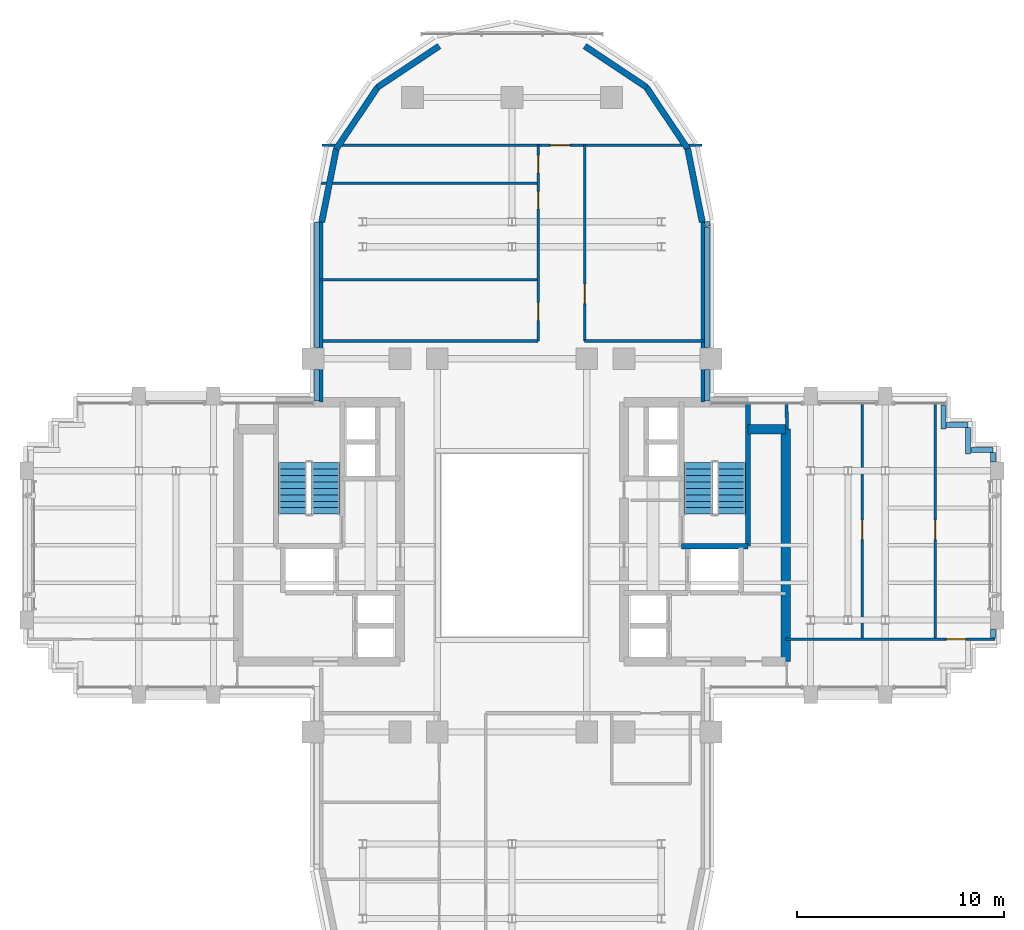
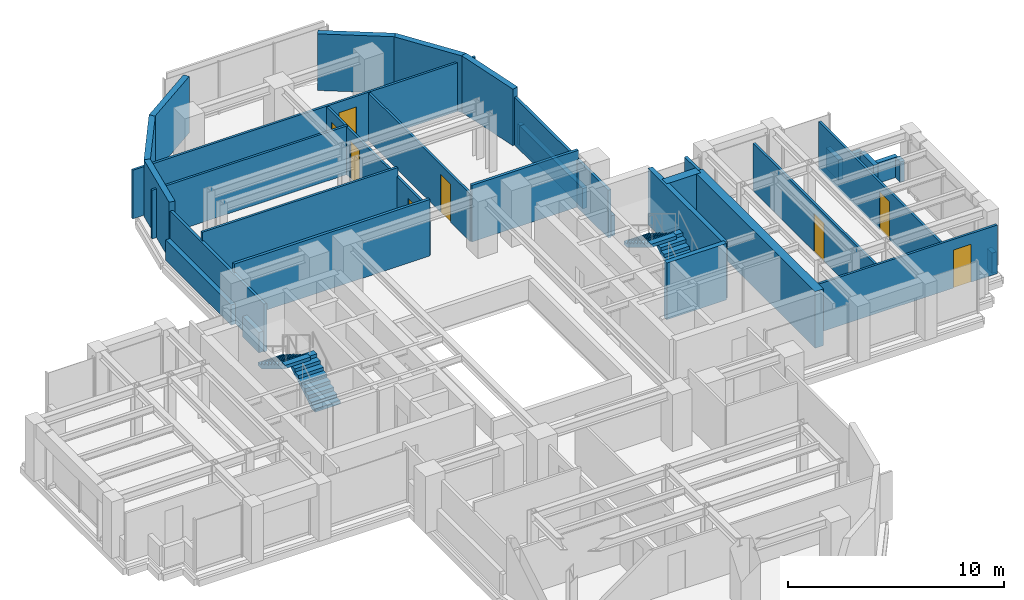
# One storey, part 10 of 14: 34 walls, 8 doors, 4 stair flights, 8 openings, 2 elements without a shape of their own.
"""IFC4 building model written with IfcOpenShell, lengths in metres."""

from ifc_helpers import new_model, si_unit, direction, frame, frame_2d, origin, place, context, subcontext, project, spatial, polyline, rectangle, outline, extrude, source, transform, mapped, material, layer, layer_set, type_object, element, fill, aggregate, save


model = new_model("IFC4")

# Units and contexts
model_context = context("Model", 3, precision=1e-05, world=origin(), true_north=direction((0.0, 1.0)))
body_context = subcontext(model_context, "Body", "Model", "MODEL_VIEW")
ifc_project = project(units=[si_unit("LENGTHUNIT", "METRE"), si_unit("AREAUNIT", "SQUARE_METRE"), si_unit("VOLUMEUNIT", "CUBIC_METRE"), si_unit("PLANEANGLEUNIT", "RADIAN"), si_unit("MASSUNIT", "GRAM", prefix="KILO")], contexts=[model_context])

# Site, building, storey
site_placement = place(None, origin())
site = spatial("IfcSite", under=ifc_project, at=site_placement, CompositionType="ELEMENT")
building_placement = place(site_placement, origin())
building = spatial("IfcBuilding", under=site, at=building_placement, Name="Keilestroom Media Tower", CompositionType="ELEMENT")
storey_placement = place(building_placement, frame((0.0, 0.0, 134.60009765625)))
storey = spatial("IfcBuildingStorey", under=building, at=storey_placement, Name="L36", CompositionType="ELEMENT", Elevation=134.60009765625)

# Walls
ifc_material_1 = material(Name="Precast concrete C40/50", Category="concrete")
ifc_layer_1 = layer(ifc_material_1, 0.300048828125)
ifc_layer_set_1 = layer_set([ifc_layer_1], Name="Precast concrete C40/50")
wall_type_1 = type_object("IfcWallType", Name="Exterior-Masonry-Spandrel-Wall-300", PredefinedType="SOLIDWALL", material=ifc_layer_set_1)
for number, where, z_axis, x_axis, name in (
    (1, (9.1748046875, 15.585205078125, 0.0), (0.0, 0.0, 1.0), (-0.195114232679, 0.980780523974, 0.0), "L36 Lobe Facet Precast Frame Wall 01"),
    (2, (8.48193359375, 19.097412109375, 0.0), (0.0, 0.0, 1.0), (-0.555574187116, 0.831466970246, 0.0), "L36 Lobe Facet Precast Frame Wall 02"),
):
    element("IfcWall", number, at=place(storey_placement, frame(where, z_axis=z_axis, x_axis=x_axis)), inside=storey, type_object=wall_type_1, Name=name, PredefinedType="SOLIDWALL", context=body_context, shape_type="SweptSolid", body=[
        extrude(rectangle(XDim=3.608642578125, YDim=0.300048828125, at=frame_2d((1.80419921875, 0.0))), origin(), (0.0, 0.0, 1.0), 3.199951171875),
    ])
for number, where, z_axis, x_axis, name in (
    (3, (6.497802734375, 22.0771484375, 0.0), (0.0, 0.0, 1.0), (-0.8314749531, 0.555562239868, 0.0), "L36 Lobe Facet Precast Frame Wall 03"),
    (4, (-3.510009765625, 24.073486328125, 0.0), (0.0, 0.0, 1.0), (-0.8314749531, -0.555562239868, 0.0), "L36 Lobe Facet Precast Frame Wall 04"),
):
    element("IfcWall", number, at=place(storey_placement, frame(where, z_axis=z_axis, x_axis=x_axis)), inside=storey, type_object=wall_type_1, Name=name, PredefinedType="SOLIDWALL", context=body_context, shape_type="SweptSolid", body=[
        extrude(rectangle(XDim=3.59326171875, YDim=0.300048828125, at=frame_2d((1.796630859375, 0.0))), origin(), (0.0, 0.0, 1.0), 3.199951171875),
    ])
for number, where, z_axis, x_axis, name in (
    (5, (-6.47705078125, 22.097900390625, 0.0), (0.0, 0.0, 1.0), (-0.555574187116, -0.831466970246, 0.0), "L36 Lobe Facet Precast Frame Wall 05"),
    (6, (-8.470703125, 19.12451171875, 0.0), (0.0, 0.0, 1.0), (-0.195114232679, -0.980780523974, 0.0), "L36 Lobe Facet Precast Frame Wall 06"),
):
    element("IfcWall", number, at=place(storey_placement, frame(where, z_axis=z_axis, x_axis=x_axis)), inside=storey, type_object=wall_type_1, Name=name, PredefinedType="SOLIDWALL", context=body_context, shape_type="SweptSolid", body=[
        extrude(rectangle(XDim=3.608642578125, YDim=0.300048828125, at=frame_2d((1.80419921875, 0.0))), origin(), (0.0, 0.0, 1.0), 3.199951171875),
    ])

# Wall, openings, doors
ifc_material_2 = material(Name="Gypsum Plasterboard & Steel Stud", Category="steel")
ifc_layer_2 = layer(ifc_material_2, 0.1201171875)
ifc_layer_set_2 = layer_set([ifc_layer_2], Name="Gypsum Plasterboard & Steel Stud")
wall_type_2 = type_object("IfcWallType", Name="Interior-Partition-Wall-120", PredefinedType="PARTITIONING", material=ifc_layer_set_2)
wall_1_placement = place(storey_placement, frame((1.260009765625, 9.85009765625, 0.0), z_axis=(0.0, 0.0, 1.0), x_axis=(0.0, 1.0, 0.0)))
wall_1 = element("IfcWall", 7, at=wall_1_placement, inside=storey, type_object=wall_type_2, Name="L36 Interior Wall WP-L36-NL-SPW", PredefinedType="PARTITIONING", context=body_context, shape_type="SweptSolid", body=[
    extrude(rectangle(XDim=9.449951171875, YDim=0.1201171875, at=frame_2d((4.72509765625, 0.0))), origin(), (0.0, 0.0, 1.0), 2.699951171875),
])
opening_1_placement = place(wall_1_placement, frame((1.0, 0.0, 0.0)))
opening_1 = element("IfcOpeningElement", 8, at=opening_1_placement, cuts=wall_1, Name="Opening DI-05", PredefinedType="OPENING", context=body_context, shape_type="SweptSolid", body=[
    extrude(rectangle(XDim=0.85009765625, YDim=2.10009765625, at=frame_2d((0.425048828125, 1.050048828125))), frame((0.0, 0.070068359375, 0.0), z_axis=(0.0, -1.0, 0.0), x_axis=(1.0, 0.0, 0.0)), (0.0, 0.0, 1.0), 0.14013671875),
])
opening_2_placement = place(wall_1_placement, frame((6.3701171875, 0.0, 0.0)))
opening_2 = element("IfcOpeningElement", 9, at=opening_2_placement, cuts=wall_1, Name="Opening DI-05", PredefinedType="OPENING", context=body_context, shape_type="SweptSolid", body=[
    extrude(rectangle(XDim=0.85009765625, YDim=2.10009765625, at=frame_2d((0.425048828125, 1.050048828125))), frame((0.0, 0.070068359375, 0.0), z_axis=(0.0, -1.0, 0.0), x_axis=(1.0, 0.0, 0.0)), (0.0, 0.0, 1.0), 0.14013671875),
])
opening_3_placement = place(wall_1_placement, frame((8.10009765625, 0.0, 0.0)))
opening_3 = element("IfcOpeningElement", 10, at=opening_3_placement, cuts=wall_1, Name="Opening DI-05", PredefinedType="OPENING", context=body_context, shape_type="SweptSolid", body=[
    extrude(rectangle(XDim=0.85009765625, YDim=2.10009765625, at=frame_2d((0.425048828125, 1.050048828125))), frame((0.0, 0.070068359375, 0.0), z_axis=(0.0, -1.0, 0.0), x_axis=(1.0, 0.0, 0.0)), (0.0, 0.0, 1.0), 0.14013671875),
])
ifc_material_3 = material(Name="Moisture-Resistant Oak Leaf", Category="wood")
door_type_1 = type_object("IfcDoorType", Name="Interior-En-Suite-And-Cupboard-Door-DI-05", OperationType="NOTDEFINED", PredefinedType="DOOR", material=ifc_material_3)
shared_shape_1 = source(origin(), body_context, "Body", "SweptSolid", [
    extrude(rectangle(XDim=0.85009765625, YDim=2.10009765625, at=frame_2d((0.425048828125, 1.050048828125))), frame((0.0, 0.02490234375, 0.0), z_axis=(0.0, -1.0, 0.0), x_axis=(1.0, 0.0, 0.0)), (0.0, 0.0, 1.0), 0.050048828125),
])
door_1_placement = place(opening_1_placement, origin())
door_1 = element("IfcDoor", 11, at=door_1_placement, inside=storey, type_object=door_type_1, Name="L36 Interior Door DI-L36-DNL-W1", OperationType="SINGLE_SWING_LEFT", OverallHeight=2.10009765625, OverallWidth=0.85009765625, PredefinedType="DOOR", context=body_context, shape_type="MappedRepresentation", body=[
    mapped(shared_shape_1, transform((0.0, 0.0, 0.0), x_axis=(1.0, 0.0, 0.0), y_axis=(0.0, 1.0, 0.0), z_axis=(0.0, 0.0, 1.0), scale=1.0)),
])
fill(opening_1, door_1)
door_2_placement = place(opening_2_placement, origin())
door_2 = element("IfcDoor", 12, at=door_2_placement, inside=storey, type_object=door_type_1, Name="L36 Interior Door DI-L36-DNL-W2", OperationType="SINGLE_SWING_RIGHT", OverallHeight=2.10009765625, OverallWidth=0.85009765625, PredefinedType="DOOR", context=body_context, shape_type="MappedRepresentation", body=[
    mapped(shared_shape_1, transform((0.0, 0.0, 0.0), x_axis=(1.0, 0.0, 0.0), y_axis=(0.0, 1.0, 0.0), z_axis=(0.0, 0.0, 1.0), scale=1.0)),
])
fill(opening_2, door_2)
door_3_placement = place(opening_3_placement, origin())
door_3 = element("IfcDoor", 13, at=door_3_placement, inside=storey, type_object=door_type_1, Name="L36 Interior Door DI-L36-DNL-W3", OperationType="SINGLE_SWING_LEFT", OverallHeight=2.10009765625, OverallWidth=0.85009765625, PredefinedType="DOOR", context=body_context, shape_type="MappedRepresentation", body=[
    mapped(shared_shape_1, transform((0.0, 0.0, 0.0), x_axis=(1.0, 0.0, 0.0), y_axis=(0.0, 1.0, 0.0), z_axis=(0.0, 0.0, 1.0), scale=1.0)),
])
fill(opening_3, door_3)

# Wall, opening, door
wall_2_placement = place(storey_placement, frame((3.5, 9.85009765625, 0.0), z_axis=(0.0, 0.0, 1.0), x_axis=(0.0, 1.0, 0.0)))
wall_2 = element("IfcWall", 14, at=wall_2_placement, inside=storey, type_object=wall_type_2, Name="L36 Interior Wall WP-L36-NL-SPE", PredefinedType="PARTITIONING", context=body_context, shape_type="SweptSolid", body=[
    extrude(rectangle(XDim=9.449951171875, YDim=0.1201171875, at=frame_2d((4.72509765625, 0.0))), origin(), (0.0, 0.0, 1.0), 2.699951171875),
])
opening_4_placement = place(wall_2_placement, frame((1.800048828125, 0.0, 0.0)))
opening_4 = element("IfcOpeningElement", 15, at=opening_4_placement, cuts=wall_2, Name="Opening DI-03", PredefinedType="OPENING", context=body_context, shape_type="SweptSolid", body=[
    extrude(rectangle(XDim=0.949951171875, YDim=2.14990234375, at=frame_2d((0.47509765625, 1.074951171875))), frame((0.0, 0.070068359375, 0.0), z_axis=(0.0, -1.0, 0.0), x_axis=(1.0, 0.0, 0.0)), (0.0, 0.0, 1.0), 0.14013671875),
])
ifc_material_4 = material(Name="Lacquered European Oak Leaf", Category="wood")
door_type_2 = type_object("IfcDoorType", Name="Interior-Room-And-Suite-Door-DI-03", OperationType="NOTDEFINED", PredefinedType="DOOR", material=ifc_material_4)
shared_shape_2 = source(origin(), body_context, "Body", "SweptSolid", [
    extrude(rectangle(XDim=0.949951171875, YDim=2.14990234375, at=frame_2d((0.47509765625, 1.074951171875))), frame((0.0, 0.02490234375, 0.0), z_axis=(0.0, -1.0, 0.0), x_axis=(1.0, 0.0, 0.0)), (0.0, 0.0, 1.0), 0.050048828125),
])
door_4_placement = place(opening_4_placement, origin())
door_4 = element("IfcDoor", 16, at=door_4_placement, inside=storey, type_object=door_type_2, Name="L36 Interior Door DI-L36-DNL-E1", OperationType="SINGLE_SWING_RIGHT", OverallHeight=2.14990234375, OverallWidth=0.949951171875, PredefinedType="DOOR", context=body_context, shape_type="MappedRepresentation", body=[
    mapped(shared_shape_2, transform((0.0, 0.0, 0.0), x_axis=(1.0, 0.0, 0.0), y_axis=(0.0, 1.0, 0.0), z_axis=(0.0, 0.0, 1.0), scale=1.0)),
])
fill(opening_4, door_4)

wall_3_placement = place(storey_placement, frame((-9.159912109375, 19.300048828125, 0.0), z_axis=(0.0, 0.0, 1.0), x_axis=(1.0, 0.0, 0.0)))
wall_3 = element("IfcWall", 17, at=wall_3_placement, inside=storey, type_object=wall_type_2, Name="L36 Interior Wall WP-L36-NL-NTIPW", PredefinedType="PARTITIONING", context=body_context, shape_type="SweptSolid", body=[
    extrude(rectangle(XDim=18.31982421875, YDim=0.1201171875, at=frame_2d((9.159912109375, 0.0))), origin(), (0.0, 0.0, 1.0), 2.75),
])
opening_5_placement = place(wall_3_placement, frame((11.010009765625, 0.0, 0.0)))
opening_5 = element("IfcOpeningElement", 18, at=opening_5_placement, cuts=wall_3, Name="Opening DI-03", PredefinedType="OPENING", context=body_context, shape_type="SweptSolid", body=[
    extrude(rectangle(XDim=0.949951171875, YDim=2.14990234375, at=frame_2d((0.47509765625, 1.074951171875))), frame((0.0, 0.070068359375, 0.0), z_axis=(0.0, -1.0, 0.0), x_axis=(1.0, 0.0, 0.0)), (0.0, 0.0, 1.0), 0.14013671875),
])
door_5_placement = place(opening_5_placement, origin())
door_5 = element("IfcDoor", 19, at=door_5_placement, inside=storey, type_object=door_type_2, Name="L36 Interior Door DI-L36-DNL-TIP", OperationType="SINGLE_SWING_RIGHT", OverallHeight=2.14990234375, OverallWidth=0.949951171875, PredefinedType="DOOR", context=body_context, shape_type="MappedRepresentation", body=[
    mapped(shared_shape_2, transform((0.0, 0.0, 0.0), x_axis=(1.0, 0.0, 0.0), y_axis=(0.0, 1.0, 0.0), z_axis=(0.0, 0.0, 1.0), scale=1.0)),
])
fill(opening_5, door_5)

# Walls
wall_4_placement = place(storey_placement, frame((-9.199951171875, 12.800048828125, 0.0), z_axis=(0.0, 0.0, 1.0), x_axis=(1.0, 0.0, 0.0)))
element("IfcWall", 20, at=wall_4_placement, inside=storey, type_object=wall_type_2, Name="L36 Interior Wall WP-L36-NL-HW1", PredefinedType="PARTITIONING", context=body_context, shape_type="SweptSolid", body=[
    extrude(rectangle(XDim=10.4599609375, YDim=0.1201171875, at=frame_2d((5.22998046875, 0.0))), origin(), (0.0, 0.0, 1.0), 3.199951171875),
])
wall_5_placement = place(storey_placement, frame((-9.199951171875, 17.449951171875, 0.0), z_axis=(0.0, 0.0, 1.0), x_axis=(1.0, 0.0, 0.0)))
element("IfcWall", 21, at=wall_5_placement, inside=storey, type_object=wall_type_2, Name="L36 Interior Wall WP-L36-NL-HW2", PredefinedType="PARTITIONING", context=body_context, shape_type="SweptSolid", body=[
    extrude(rectangle(XDim=10.4599609375, YDim=0.1201171875, at=frame_2d((5.22998046875, 0.0))), origin(), (0.0, 0.0, 1.0), 2.75),
])

# Wall, opening, door
wall_6_placement = place(storey_placement, frame((13.199951171875, -4.530029296875, 0.0), z_axis=(0.0, 0.0, 1.0), x_axis=(1.0, 0.0, 0.0)))
wall_6 = element("IfcWall", 22, at=wall_6_placement, inside=storey, type_object=wall_type_2, Name="L36 Interior Wall WP-L36-EA-CN", PredefinedType="PARTITIONING", context=body_context, shape_type="SweptSolid", body=[
    extrude(rectangle(XDim=10.10009765625, YDim=0.1201171875, at=frame_2d((5.050048828125, 0.0))), origin(), (0.0, 0.0, 1.0), 2.75),
])
opening_6_placement = place(wall_6_placement, frame((7.75, 0.0, 0.0)))
opening_6 = element("IfcOpeningElement", 23, at=opening_6_placement, cuts=wall_6, Name="Opening DI-03", PredefinedType="OPENING", context=body_context, shape_type="SweptSolid", body=[
    extrude(rectangle(XDim=0.949951171875, YDim=2.14990234375, at=frame_2d((0.47509765625, 1.074951171875))), frame((0.0, 0.070068359375, 0.0), z_axis=(0.0, -1.0, 0.0), x_axis=(1.0, 0.0, 0.0)), (0.0, 0.0, 1.0), 0.14013671875),
])
door_6_placement = place(opening_6_placement, origin())
door_6 = element("IfcDoor", 24, at=door_6_placement, inside=storey, type_object=door_type_2, Name="L36 Interior Door DI-L36-DEA-RN3", OperationType="SINGLE_SWING_RIGHT", OverallHeight=2.14990234375, OverallWidth=0.949951171875, PredefinedType="DOOR", context=body_context, shape_type="MappedRepresentation", body=[
    mapped(shared_shape_2, transform((0.0, 0.0, 0.0), x_axis=(1.0, 0.0, 0.0), y_axis=(0.0, 1.0, 0.0), z_axis=(0.0, 0.0, 1.0), scale=1.0)),
])
fill(opening_6, door_6)

wall_7_placement = place(storey_placement, frame((16.89990234375, -4.530029296875, 0.0), z_axis=(0.0, 0.0, 1.0), x_axis=(0.0, 1.0, 0.0)))
wall_7 = element("IfcWall", 25, at=wall_7_placement, inside=storey, type_object=wall_type_2, Name="L36 Interior Wall WP-L36-EA-VM1", PredefinedType="PARTITIONING", context=body_context, shape_type="SweptSolid", body=[
    extrude(rectangle(XDim=11.380126953125, YDim=0.1201171875, at=frame_2d((5.68994140625, 0.0))), origin(), (0.0, 0.0, 1.0), 2.699951171875),
])
opening_7_placement = place(wall_7_placement, frame((4.800048828125, 0.0, 0.0)))
opening_7 = element("IfcOpeningElement", 26, at=opening_7_placement, cuts=wall_7, Name="Opening DI-03", PredefinedType="OPENING", context=body_context, shape_type="SweptSolid", body=[
    extrude(rectangle(XDim=0.949951171875, YDim=2.14990234375, at=frame_2d((0.47509765625, 1.074951171875))), frame((0.0, 0.070068359375, 0.0), z_axis=(0.0, -1.0, 0.0), x_axis=(1.0, 0.0, 0.0)), (0.0, 0.0, 1.0), 0.14013671875),
])
door_7_placement = place(opening_7_placement, origin())
door_7 = element("IfcDoor", 27, at=door_7_placement, inside=storey, type_object=door_type_2, Name="L36 Interior Door DI-L36-DEA-RN1", OperationType="SINGLE_SWING_RIGHT", OverallHeight=2.14990234375, OverallWidth=0.949951171875, PredefinedType="DOOR", context=body_context, shape_type="MappedRepresentation", body=[
    mapped(shared_shape_2, transform((0.0, 0.0, 0.0), x_axis=(1.0, 0.0, 0.0), y_axis=(0.0, 1.0, 0.0), z_axis=(0.0, 0.0, 1.0), scale=1.0)),
])
fill(opening_7, door_7)

wall_8_placement = place(storey_placement, frame((20.39990234375, -4.530029296875, 0.0), z_axis=(0.0, 0.0, 1.0), x_axis=(0.0, 1.0, 0.0)))
wall_8 = element("IfcWall", 28, at=wall_8_placement, inside=storey, type_object=wall_type_2, Name="L36 Interior Wall WP-L36-EA-VM2", PredefinedType="PARTITIONING", context=body_context, shape_type="SweptSolid", body=[
    extrude(rectangle(XDim=11.380126953125, YDim=0.1201171875, at=frame_2d((5.68994140625, 0.0))), origin(), (0.0, 0.0, 1.0), 2.699951171875),
])
opening_8_placement = place(wall_8_placement, frame((4.800048828125, 0.0, 0.0)))
opening_8 = element("IfcOpeningElement", 29, at=opening_8_placement, cuts=wall_8, Name="Opening DI-03", PredefinedType="OPENING", context=body_context, shape_type="SweptSolid", body=[
    extrude(rectangle(XDim=0.949951171875, YDim=2.14990234375, at=frame_2d((0.47509765625, 1.074951171875))), frame((0.0, 0.070068359375, 0.0), z_axis=(0.0, -1.0, 0.0), x_axis=(1.0, 0.0, 0.0)), (0.0, 0.0, 1.0), 0.14013671875),
])
door_8_placement = place(opening_8_placement, origin())
door_8 = element("IfcDoor", 30, at=door_8_placement, inside=storey, type_object=door_type_2, Name="L36 Interior Door DI-L36-DEA-RN2", OperationType="SINGLE_SWING_LEFT", OverallHeight=2.14990234375, OverallWidth=0.949951171875, PredefinedType="DOOR", context=body_context, shape_type="MappedRepresentation", body=[
    mapped(shared_shape_2, transform((0.0, 0.0, 0.0), x_axis=(1.0, 0.0, 0.0), y_axis=(0.0, 1.0, 0.0), z_axis=(0.0, 0.0, 1.0), scale=1.0)),
])
fill(opening_8, door_8)

# Walls
ifc_layer_3 = layer(ifc_material_2, 0.14990234375)
ifc_layer_set_3 = layer_set([ifc_layer_3], Name="Gypsum Plasterboard & Steel Stud")
wall_type_3 = type_object("IfcWallType", Name="Interior-Partition-Wall-150", PredefinedType="PARTITIONING", material=ifc_layer_set_3)
for number, where, z_axis, x_axis, name in (
    (31, (-9.199951171875, 6.89990234375, 0.0), (0.0, 0.0, 1.0), (0.0, 1.0, 0.0), "L36 Interior Wall WP-L36-NL-CHKW"),
    (32, (9.199951171875, 6.89990234375, 0.0), (0.0, 0.0, 1.0), (0.0, 1.0, 0.0), "L36 Interior Wall WP-L36-NL-CHKE"),
):
    element("IfcWall", number, at=place(storey_placement, frame(where, z_axis=z_axis, x_axis=x_axis)), inside=storey, type_object=wall_type_3, Name=name, PredefinedType="PARTITIONING", context=body_context, shape_type="SweptSolid", body=[
        extrude(rectangle(XDim=8.780029296875, YDim=0.14990234375, at=frame_2d((4.39013671875, 0.0))), origin(), (0.0, 0.0, 1.0), 2.699951171875),
    ])
wall_9_placement = place(storey_placement, frame((-9.199951171875, 9.85009765625, 0.0), z_axis=(0.0, 0.0, 1.0), x_axis=(1.0, 0.0, 0.0)))
element("IfcWall", 33, at=wall_9_placement, inside=storey, type_object=wall_type_3, Name="L36 Interior Wall WP-L36-NL-BASE-W", PredefinedType="PARTITIONING", context=body_context, shape_type="SweptSolid", body=[
    extrude(rectangle(XDim=10.4599609375, YDim=0.14990234375, at=frame_2d((5.22998046875, 0.0))), origin(), (0.0, 0.0, 1.0), 3.199951171875),
])
wall_10_placement = place(storey_placement, frame((3.5, 9.85009765625, 0.0), z_axis=(0.0, 0.0, 1.0), x_axis=(1.0, 0.0, 0.0)))
element("IfcWall", 34, at=wall_10_placement, inside=storey, type_object=wall_type_3, Name="L36 Interior Wall WP-L36-NL-BASE-E", PredefinedType="PARTITIONING", context=body_context, shape_type="SweptSolid", body=[
    extrude(rectangle(XDim=5.699951171875, YDim=0.14990234375, at=frame_2d((2.85009765625, 0.0))), origin(), (0.0, 0.0, 1.0), 3.199951171875),
])
wall_11_placement = place(storey_placement, frame((13.260009765625, 5.60009765625, 0.0), z_axis=(0.0, 0.0, 1.0), x_axis=(-0.016013571389, 0.999871774545, 0.0)))
element("IfcWall", 35, at=wall_11_placement, inside=storey, type_object=wall_type_3, Name="L36 Interior Wall WP-L36-EA-ENTN", PredefinedType="PARTITIONING", context=body_context, shape_type="SweptSolid", body=[
    extrude(rectangle(XDim=1.250244140625, YDim=0.14990234375, at=frame_2d((0.625, 0.0))), origin(), (0.0, 0.0, 1.0), 3.199951171875),
])
ifc_material_5 = material(Name="Concrete C55/67", Category="concrete")
ifc_layer_4 = layer(ifc_material_5, 0.449951171875)
ifc_layer_set_4 = layer_set([ifc_layer_4], Name="Concrete C55/67")
wall_type_4 = type_object("IfcWallType", Name="Reinforced-Concrete-Core-Shear-Wall-450", PredefinedType="SHEAR", material=ifc_layer_set_4)
wall_12_placement = place(storey_placement, frame((13.199951171875, -5.60009765625, 0.0), z_axis=(0.0, 0.0, 1.0), x_axis=(0.0, 1.0, 0.0)))
element("IfcWall", 36, at=wall_12_placement, inside=storey, type_object=wall_type_4, Name="L36 Core Shear Wall WL-L36-CORE-E-OUT", PredefinedType="SHEAR", context=body_context, shape_type="SweptSolid", body=[
    extrude(rectangle(XDim=11.2001953125, YDim=0.449951171875, at=frame_2d((5.60009765625, 0.0))), origin(), (0.0, 0.0, 1.0), 3.199951171875),
])
wall_13_placement = place(storey_placement, frame((11.381103515625, 5.60009765625, 0.0), z_axis=(0.0, 0.0, 1.0), x_axis=(1.0, 0.0, 0.0)))
element("IfcWall", 37, at=wall_13_placement, inside=storey, type_object=wall_type_4, Name="L36 Core Shear Wall WL-L36-CNE-N", PredefinedType="SHEAR", context=body_context, shape_type="SweptSolid", body=[
    extrude(rectangle(XDim=1.81884765625, YDim=0.449951171875, at=frame_2d((0.909423828125, 0.0))), origin(), (0.0, 0.0, 1.0), 3.199951171875),
])
ifc_material_6 = material(Name="Concrete C50/60", Category="concrete")
ifc_layer_5 = layer(ifc_material_6, 0.25)
ifc_layer_set_5 = layer_set([ifc_layer_5], Name="Concrete C50/60")
wall_type_5 = type_object("IfcWallType", Name="Reinforced-Concrete-Shaft-Wall-250", PredefinedType="SOLIDWALL", material=ifc_layer_set_5)
wall_14_placement = place(storey_placement, frame((11.381103515625, -0.041015625, 0.0), z_axis=(0.0, 0.0, 1.0), x_axis=(0.0, 1.0, 0.0)))
element("IfcWall", 38, at=wall_14_placement, inside=storey, type_object=wall_type_5, Name="L36 Core Shear Wall WL-L36-STW-E-FAR", PredefinedType="SOLIDWALL", context=body_context, shape_type="SweptSolid", body=[
    extrude(rectangle(XDim=6.94091796875, YDim=0.25, at=frame_2d((3.470458984375, 0.0))), origin(), (0.0, 0.0, 1.0), 3.199951171875),
])
wall_15_placement = place(storey_placement, frame((8.178955078125, -0.041015625, 0.0), z_axis=(0.0, 0.0, 1.0), x_axis=(1.0, 0.0, 0.0)))
element("IfcWall", 39, at=wall_15_placement, inside=storey, type_object=wall_type_5, Name="L36 Core Shear Wall WL-L36-STW-E-S", PredefinedType="SOLIDWALL", context=body_context, shape_type="SweptSolid", body=[
    extrude(rectangle(XDim=3.2021484375, YDim=0.25, at=frame_2d((1.60107421875, 0.0))), origin(), (0.0, 0.0, 1.0), 3.199951171875),
])
ifc_layer_6 = layer(ifc_material_1, 0.239990234375)
ifc_layer_set_6 = layer_set([ifc_layer_6], Name="Precast concrete C40/50")
wall_type_6 = type_object("IfcWallType", Name="Roof-And-Terrace-Parapet-Wall-240", PredefinedType="PARAPET", material=ifc_layer_set_6)
wall_16_placement = place(storey_placement, frame((-9.39990234375, 6.952880859375, 0.0), z_axis=(0.0, 0.0, 1.0), x_axis=(0.0, 1.0, 0.0)))
element("IfcWall", 40, at=wall_16_placement, inside=storey, type_object=wall_type_6, Name="L36 Perimeter Edge Parapet Wall 19", PredefinedType="PARAPET", context=body_context, shape_type="SweptSolid", body=[
    extrude(rectangle(XDim=1.51904296875, YDim=0.239990234375, at=frame_2d((0.759521484375, 0.0))), origin(), (0.0, 0.0, 1.0), 1.14990234375),
])
wall_17_placement = place(storey_placement, frame((-9.39990234375, 9.528076171875, 0.0), z_axis=(0.0, 0.0, 1.0), x_axis=(0.0, 1.0, 0.0)))
element("IfcWall", 41, at=wall_17_placement, inside=storey, type_object=wall_type_6, Name="L36 Perimeter Edge Parapet Wall 20", PredefinedType="PARAPET", context=body_context, shape_type="SweptSolid", body=[
    extrude(rectangle(XDim=6.07470703125, YDim=0.239990234375, at=frame_2d((3.037353515625, 0.0))), origin(), (0.0, 0.0, 1.0), 1.14990234375),
])
wall_18_placement = place(storey_placement, frame((9.395263671875, 15.604248046875, 0.0), z_axis=(0.0, 0.0, 1.0), x_axis=(0.194652052864, -0.980872355771, 0.0)))
element("IfcWall", 42, at=wall_18_placement, inside=storey, type_object=wall_type_6, Name="L36 Perimeter Edge Parapet Wall 21", PredefinedType="PARAPET", context=body_context, shape_type="SweptSolid", body=[
    extrude(rectangle(XDim=0.224609375, YDim=0.239990234375, at=frame_2d((0.1123046875, 0.0))), origin(), (0.0, 0.0, 1.0), 1.14990234375),
])
wall_19_placement = place(storey_placement, frame((9.39990234375, 15.357666015625, 0.0), z_axis=(0.0, 0.0, 1.0), x_axis=(0.0, -1.0, 0.0)))
element("IfcWall", 43, at=wall_19_placement, inside=storey, type_object=wall_type_6, Name="L36 Perimeter Edge Parapet Wall 22", PredefinedType="PARAPET", context=body_context, shape_type="SweptSolid", body=[
    extrude(rectangle(XDim=5.82958984375, YDim=0.239990234375, at=frame_2d((2.914794921875, 0.0))), origin(), (0.0, 0.0, 1.0), 1.14990234375),
])
wall_20_placement = place(storey_placement, frame((9.39990234375, 8.471923828125, 0.0), z_axis=(0.0, 0.0, 1.0), x_axis=(0.0, -1.0, 0.0)))
element("IfcWall", 44, at=wall_20_placement, inside=storey, type_object=wall_type_6, Name="L36 Perimeter Edge Parapet Wall 23", PredefinedType="PARAPET", context=body_context, shape_type="SweptSolid", body=[
    extrude(rectangle(XDim=1.51904296875, YDim=0.239990234375, at=frame_2d((0.759521484375, 0.0))), origin(), (0.0, 0.0, 1.0), 1.14990234375),
])
wall_21_placement = place(storey_placement, frame((20.800048828125, 6.757080078125, 0.0), z_axis=(0.0, 0.0, 1.0), x_axis=(0.0, -1.0, 0.0)))
element("IfcWall", 45, at=wall_21_placement, inside=storey, type_object=wall_type_6, Name="L36 Perimeter Edge Parapet Wall 24", PredefinedType="PARAPET", context=body_context, shape_type="SweptSolid", body=[
    extrude(rectangle(XDim=1.156982421875, YDim=0.239990234375, at=frame_2d((0.57861328125, 0.0))), origin(), (0.0, 0.0, 1.0), 1.14990234375),
])
wall_22_placement = place(storey_placement, frame((20.923095703125, 5.800048828125, 0.0), z_axis=(0.0, 0.0, 1.0), x_axis=(1.0, 0.0, 0.0)))
element("IfcWall", 46, at=wall_22_placement, inside=storey, type_object=wall_type_6, Name="L36 Perimeter Edge Parapet Wall 25", PredefinedType="PARAPET", context=body_context, shape_type="SweptSolid", body=[
    extrude(rectangle(XDim=1.076904296875, YDim=0.239990234375, at=frame_2d((0.53857421875, 0.0))), origin(), (0.0, 0.0, 1.0), 1.14990234375),
])
wall_23_placement = place(storey_placement, frame((22.0, 5.677001953125, 0.0), z_axis=(0.0, 0.0, 1.0), x_axis=(0.0, -1.0, 0.0)))
element("IfcWall", 47, at=wall_23_placement, inside=storey, type_object=wall_type_6, Name="L36 Perimeter Edge Parapet Wall 26", PredefinedType="PARAPET", context=body_context, shape_type="SweptSolid", body=[
    extrude(rectangle(XDim=1.277099609375, YDim=0.239990234375, at=frame_2d((0.638671875, 0.0))), origin(), (0.0, 0.0, 1.0), 1.14990234375),
])
wall_24_placement = place(storey_placement, frame((22.123046875, 4.60009765625, 0.0), z_axis=(0.0, 0.0, 1.0), x_axis=(1.0, 0.0, 0.0)))
element("IfcWall", 48, at=wall_24_placement, inside=storey, type_object=wall_type_6, Name="L36 Perimeter Edge Parapet Wall 27", PredefinedType="PARAPET", context=body_context, shape_type="SweptSolid", body=[
    extrude(rectangle(XDim=1.076904296875, YDim=0.239990234375, at=frame_2d((0.53857421875, 0.0))), origin(), (0.0, 0.0, 1.0), 1.14990234375),
])
wall_25_placement = place(storey_placement, frame((23.199951171875, 4.47705078125, 0.0), z_axis=(0.0, 0.0, 1.0), x_axis=(0.0, -1.0, 0.0)))
element("IfcWall", 49, at=wall_25_placement, inside=storey, type_object=wall_type_6, Name="L36 Perimeter Edge Parapet Wall 28", PredefinedType="PARAPET", context=body_context, shape_type="SweptSolid", body=[
    extrude(rectangle(XDim=0.448974609375, YDim=0.239990234375, at=frame_2d((0.224609375, 0.0))), origin(), (0.0, 0.0, 1.0), 1.14990234375),
])
wall_26_placement = place(storey_placement, frame((23.199951171875, -4.028076171875, 0.0), z_axis=(0.0, 0.0, 1.0), x_axis=(0.0, -1.0, 0.0)))
element("IfcWall", 50, at=wall_26_placement, inside=storey, type_object=wall_type_6, Name="L36 Perimeter Edge Parapet Wall 29", PredefinedType="PARAPET", context=body_context, shape_type="SweptSolid", body=[
    extrude(rectangle(XDim=0.43896484375, YDim=0.239990234375, at=frame_2d((0.219482421875, 0.0))), origin(), (0.0, 0.0, 1.0), 1.14990234375),
])

# Stair, stair flights
ifc_material_7 = material(Name="Concrete C45/55", Category="concrete")
stair_type = type_object("IfcStairType", Name="Enclosed-Dog-Leg-Stair-ST-CORE", PredefinedType="HALF_TURN_STAIR", material=ifc_material_7)
stair_1_placement = place(storey_placement, origin())
stair_1 = element("IfcStair", 51, at=stair_1_placement, inside=storey, type_object=stair_type, Name="L36 West Core Escape Stair ST-1", PredefinedType="HALF_TURN_STAIR")
stair_flight_type = type_object("IfcStairFlightType", Name="Precast-Concrete-Stair-Flight-Core-160", PredefinedType="STRAIGHT", material=ifc_material_1)
stair_flight_1_placement = place(storey_placement, frame((-8.97998046875, 1.5, 0.0), z_axis=(0.0, 0.0, 1.0), x_axis=(0.0, 1.0, 0.0)))
stair_flight_1 = element("IfcStairFlight", 52, at=stair_flight_1_placement, type_object=stair_flight_type, Name="ST-1 flight 1", NumberOfRisers=9, NumberOfTreads=8, PredefinedType="STRAIGHT", RiserHeight=0.188888889, TreadLength=0.312, context=body_context, shape_type="SweptSolid", body=[
    extrude(outline(polyline([(0.0, 0.0), (0.0, 0.18896484375), (0.31201171875, 0.18896484375), (0.31201171875, 0.377685546875), (0.6240234375, 0.377685546875), (0.6240234375, 0.566650390625), (0.93603515625, 0.566650390625), (0.93603515625, 0.755615234375), (1.248046875, 0.755615234375), (1.248046875, 0.9443359375), (1.56005859375, 0.9443359375), (1.56005859375, 1.13330078125), (1.8720703125, 1.13330078125), (1.8720703125, 1.322265625), (2.18408203125, 1.322265625), (2.18408203125, 1.51123046875), (2.49609375, 1.51123046875), (2.49609375, 1.699951171875), (2.49609375, 1.32421875), (0.308837890625, 0.0), (0.0, 0.0)])), frame((0.0, 0.68017578125, 0.0), z_axis=(0.0, -1.0, 0.0), x_axis=(1.0, 0.0, 0.0)), (0.0, 0.0, 1.0), 1.360107421875),
])
stair_flight_2_placement = place(storey_placement, frame((-10.580078125, 3.99609375, 1.699951171875), z_axis=(0.0, 0.0, 1.0), x_axis=(0.0, -1.0, 0.0)))
stair_flight_2 = element("IfcStairFlight", 53, at=stair_flight_2_placement, type_object=stair_flight_type, Name="ST-1 flight 2", NumberOfRisers=9, NumberOfTreads=8, PredefinedType="STRAIGHT", RiserHeight=0.188888889, TreadLength=0.312, context=body_context, shape_type="SweptSolid", body=[
    extrude(outline(polyline([(0.0, 0.0), (0.0, 0.18896484375), (0.31201171875, 0.18896484375), (0.31201171875, 0.377685546875), (0.6240234375, 0.377685546875), (0.6240234375, 0.566650390625), (0.93603515625, 0.566650390625), (0.93603515625, 0.755615234375), (1.248046875, 0.755615234375), (1.248046875, 0.9443359375), (1.56005859375, 0.9443359375), (1.56005859375, 1.13330078125), (1.8720703125, 1.13330078125), (1.8720703125, 1.322265625), (2.18408203125, 1.322265625), (2.18408203125, 1.51123046875), (2.49609375, 1.51123046875), (2.49609375, 1.699951171875), (2.49609375, 1.32421875), (0.308837890625, 0.0), (0.0, 0.0)])), frame((0.0, 0.68017578125, 0.0), z_axis=(0.0, -1.0, 0.0), x_axis=(1.0, 0.0, 0.0)), (0.0, 0.0, 1.0), 1.360107421875),
])
aggregate(stair_1, [stair_flight_1, stair_flight_2])

stair_2_placement = place(storey_placement, origin())
stair_2 = element("IfcStair", 54, at=stair_2_placement, inside=storey, type_object=stair_type, Name="L36 East Core Escape Stair ST-2", PredefinedType="HALF_TURN_STAIR")
stair_flight_3_placement = place(storey_placement, frame((10.580078125, 1.5, 0.0), z_axis=(0.0, 0.0, 1.0), x_axis=(0.0, 1.0, 0.0)))
stair_flight_3 = element("IfcStairFlight", 55, at=stair_flight_3_placement, type_object=stair_flight_type, Name="ST-2 flight 1", NumberOfRisers=9, NumberOfTreads=8, PredefinedType="STRAIGHT", RiserHeight=0.188888889, TreadLength=0.312, context=body_context, shape_type="SweptSolid", body=[
    extrude(outline(polyline([(0.0, 0.0), (0.0, 0.18896484375), (0.31201171875, 0.18896484375), (0.31201171875, 0.377685546875), (0.6240234375, 0.377685546875), (0.6240234375, 0.566650390625), (0.93603515625, 0.566650390625), (0.93603515625, 0.755615234375), (1.248046875, 0.755615234375), (1.248046875, 0.9443359375), (1.56005859375, 0.9443359375), (1.56005859375, 1.13330078125), (1.8720703125, 1.13330078125), (1.8720703125, 1.322265625), (2.18408203125, 1.322265625), (2.18408203125, 1.51123046875), (2.49609375, 1.51123046875), (2.49609375, 1.699951171875), (2.49609375, 1.32421875), (0.308837890625, 0.0), (0.0, 0.0)])), frame((0.0, 0.68017578125, 0.0), z_axis=(0.0, -1.0, 0.0), x_axis=(1.0, 0.0, 0.0)), (0.0, 0.0, 1.0), 1.360107421875),
])
stair_flight_4_placement = place(storey_placement, frame((8.97998046875, 3.99609375, 1.699951171875), z_axis=(0.0, 0.0, 1.0), x_axis=(0.0, -1.0, 0.0)))
stair_flight_4 = element("IfcStairFlight", 56, at=stair_flight_4_placement, type_object=stair_flight_type, Name="ST-2 flight 2", NumberOfRisers=9, NumberOfTreads=8, PredefinedType="STRAIGHT", RiserHeight=0.188888889, TreadLength=0.312, context=body_context, shape_type="SweptSolid", body=[
    extrude(outline(polyline([(0.0, 0.0), (0.0, 0.18896484375), (0.31201171875, 0.18896484375), (0.31201171875, 0.377685546875), (0.6240234375, 0.377685546875), (0.6240234375, 0.566650390625), (0.93603515625, 0.566650390625), (0.93603515625, 0.755615234375), (1.248046875, 0.755615234375), (1.248046875, 0.9443359375), (1.56005859375, 0.9443359375), (1.56005859375, 1.13330078125), (1.8720703125, 1.13330078125), (1.8720703125, 1.322265625), (2.18408203125, 1.322265625), (2.18408203125, 1.51123046875), (2.49609375, 1.51123046875), (2.49609375, 1.699951171875), (2.49609375, 1.32421875), (0.308837890625, 0.0), (0.0, 0.0)])), frame((0.0, 0.68017578125, 0.0), z_axis=(0.0, -1.0, 0.0), x_axis=(1.0, 0.0, 0.0)), (0.0, 0.0, 1.0), 1.360107421875),
])
aggregate(stair_2, [stair_flight_3, stair_flight_4])

save(model, "model.ifc")
